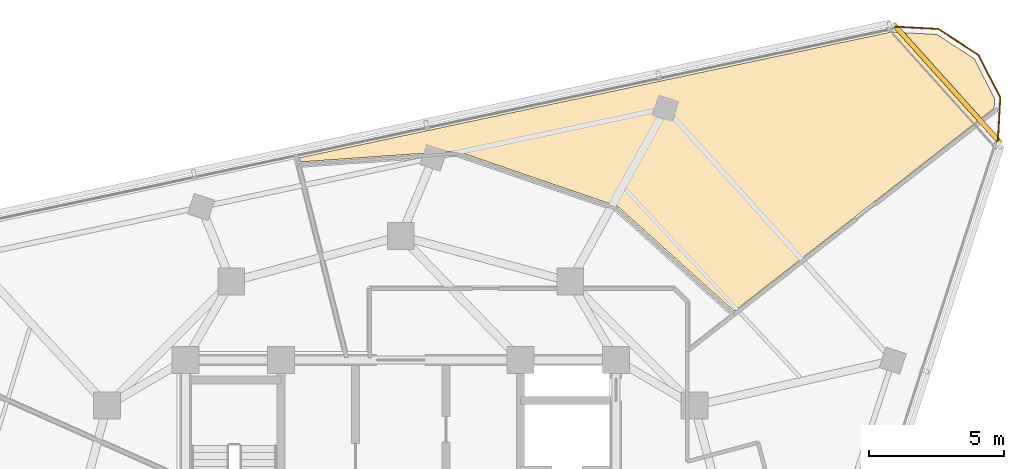
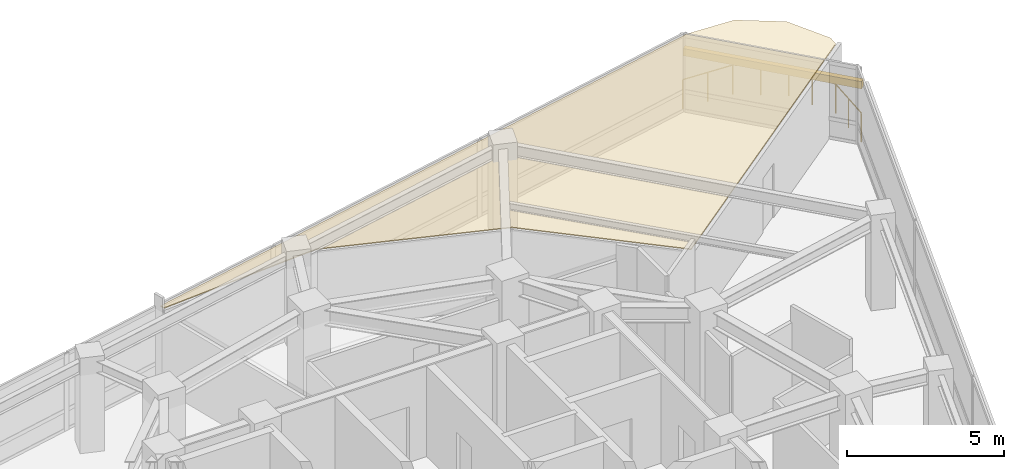
# One storey, part 15 of 15: 1 covering, 1 railing, 1 shading device.
"""IFC4 building model written with IfcOpenShell, lengths in metres."""

import ifcopenshell
import ifcopenshell.guid

model = None  # the IFC model being written
_history = None  # IfcOwnerHistory: only IFC2X3 demands one
_inside = {}  # id of a spatial element -> (the spatial element, [elements in it])
_under = {}  # id of a project, library or spatial element -> (it, [spatial elements below it])
_declared = {}  # id of a project -> (the project, [libraries it declares])
_typed = {}  # id of a type object -> (the type object, [elements of that type])
_made_of = {}  # id of a material, layer set ... -> (it, [elements and type objects made of it])


def new_model(schema):
    """Start an empty IFC model of exactly this schema.

    Asked for "IFC4X3", IfcOpenShell would pick the latest addendum, in which some entities
    have other attributes; the version numbers below select the first issue.
    IFC2X3 requires an IfcOwnerHistory on every rooted entity: one is made here for all.
    """
    global model, _history
    if schema == "IFC4X3":
        model = ifcopenshell.file(schema_version=(4, 3, 0, 0))
    else:
        model = ifcopenshell.file(schema=schema)
    _inside.clear()
    _under.clear()
    _declared.clear()
    _typed.clear()
    _made_of.clear()
    _history = None
    if model.schema == "IFC2X3":
        org = make("IfcOrganization", Name="unknown")
        user = make(
            "IfcPersonAndOrganization",
            ThePerson=make("IfcPerson", FamilyName="unknown"),
            TheOrganization=org,
        )
        app = make(
            "IfcApplication",
            ApplicationDeveloper=org,
            Version="unknown",
            ApplicationFullName="unknown",
            ApplicationIdentifier="unknown",
        )
        _history = make(
            "IfcOwnerHistory",
            OwningUser=user,
            OwningApplication=app,
            ChangeAction="ADDED",
            CreationDate=0,
        )
    return model


def make(cls, **values):
    """One entity of the class cls with the attributes given. An attribute that is None is left unset."""
    return model.create_entity(
        cls, **{name: value for name, value in values.items() if value is not None}
    )


def rooted(cls, **values):
    """An entity with a GlobalId (a new one), such as an element, a storey or a relation."""
    return make(cls, GlobalId=ifcopenshell.guid.new(), OwnerHistory=_history, **values)


def si_unit(unit_type, name, prefix=None):
    """IfcSIUnit, for example si_unit("LENGTHUNIT", "METRE", prefix="MILLI")."""
    return make("IfcSIUnit", UnitType=unit_type, Prefix=prefix, Name=name)


def assignment(units):
    """IfcUnitAssignment: the units of a project."""
    return None if units is None else make("IfcUnitAssignment", Units=units)


def point(xyz):
    """IfcCartesianPoint."""
    return None if xyz is None else make("IfcCartesianPoint", Coordinates=xyz)


def direction(xyz):
    """IfcDirection."""
    return None if xyz is None else make("IfcDirection", DirectionRatios=xyz)


def frame(location, z_axis=None, x_axis=None):
    """IfcAxis2Placement3D, a coordinate frame: its origin and axes. An axis left out is left unset."""
    return make(
        "IfcAxis2Placement3D",
        Location=point(location),
        Axis=direction(z_axis),
        RefDirection=direction(x_axis),
    )


def frame_2d(location, x_axis=None):
    """IfcAxis2Placement2D, a coordinate frame in the plane: its origin and x axis."""
    return make(
        "IfcAxis2Placement2D", Location=point(location), RefDirection=direction(x_axis)
    )


def origin():
    """The frame at (0, 0, 0) with its axes left unset."""
    return frame((0.0, 0.0, 0.0))


def origin_2d():
    """The frame at (0, 0) in the plane with its x axis left unset."""
    return frame_2d((0.0, 0.0))


def place(relative_to, where):
    """IfcLocalPlacement: puts the frame where relative to a parent placement (None: the world)."""
    return make(
        "IfcLocalPlacement", PlacementRelTo=relative_to, RelativePlacement=where
    )


def context(
    kind, dimensions, precision=None, world=None, true_north=None, identifier=None
):
    """IfcGeometricRepresentationContext, for example the 3D "Model" context."""
    return make(
        "IfcGeometricRepresentationContext",
        ContextIdentifier=identifier,
        ContextType=kind,
        CoordinateSpaceDimension=dimensions,
        Precision=precision,
        WorldCoordinateSystem=world,
        TrueNorth=true_north,
    )


def subcontext(parent, identifier, kind, view, scale=None):
    """IfcGeometricRepresentationSubContext, for example "Body" below "Model"."""
    return make(
        "IfcGeometricRepresentationSubContext",
        ContextIdentifier=identifier,
        ContextType=kind,
        ParentContext=parent,
        TargetScale=scale,
        TargetView=view,
    )


def project(units=None, contexts=None):
    """IfcProject with its units and contexts."""
    return rooted(
        "IfcProject",
        Name="project",
        RepresentationContexts=contexts,
        UnitsInContext=assignment(units),
    )


def spatial(cls, under=None, at=None, **own):
    """A site, building, storey or space (cls), placed at a placement, below another one or the project."""
    s = rooted(cls, ObjectPlacement=at, **own)
    if under is not None:
        _under.setdefault(under.id(), (under, []))[1].append(s)
    return s


def polyline(points):
    """IfcPolyline through the points."""
    return make("IfcPolyline", Points=[point(p) for p in points])


def profile(cls, at=None, kind="AREA", **sizes):
    """A parametric profile (cls). Its sizes go by their IFC names, for example OverallWidth=200.0."""
    return make(cls, ProfileType=kind, Position=at, **sizes)


def rectangle(**sizes):
    """IfcRectangleProfileDef."""
    return profile("IfcRectangleProfileDef", **sizes)


def circle(**sizes):
    """IfcCircleProfileDef."""
    return profile("IfcCircleProfileDef", **sizes)


def outline(outer, holes=None, kind="AREA"):
    """IfcArbitraryClosedProfileDef: a profile drawn as a closed curve; with holes, ...WithVoids."""
    if holes is None:
        return make("IfcArbitraryClosedProfileDef", ProfileType=kind, OuterCurve=outer)
    return make(
        "IfcArbitraryProfileDefWithVoids",
        ProfileType=kind,
        OuterCurve=outer,
        InnerCurves=holes,
    )


def extrude(swept, where, along, depth):
    """IfcExtrudedAreaSolid: the profile swept, set in the frame where, extruded along a direction by depth."""
    return make(
        "IfcExtrudedAreaSolid",
        SweptArea=swept,
        Position=where,
        ExtrudedDirection=direction(along),
        Depth=depth,
    )


def shape(context_of_items, identifier, shape_type, items):
    """IfcShapeRepresentation: the items that make up one representation, for example the "Body"."""
    return make(
        "IfcShapeRepresentation",
        ContextOfItems=context_of_items,
        RepresentationIdentifier=identifier,
        RepresentationType=shape_type,
        Items=items,
    )


def material(Name=None, Category=None):
    """IfcMaterial."""
    return make("IfcMaterial", Name=Name, Category=Category)


def layer(
    of_material, thickness, ventilated=None, Name=None, Category=None, Priority=None
):
    """IfcMaterialLayer: one layer of a wall or slab, of a material (None: an air gap)."""
    return make(
        "IfcMaterialLayer",
        Material=of_material,
        LayerThickness=thickness,
        IsVentilated=ventilated,
        Name=Name,
        Category=Category,
        Priority=Priority,
    )


def layer_set(layers, Name=None):
    """IfcMaterialLayerSet."""
    return make("IfcMaterialLayerSet", MaterialLayers=layers, LayerSetName=Name)


def made_of(thing, what):
    """Note that an element or type object is made of a material, layer set ...; save() writes the relation."""
    if what is not None:
        _made_of.setdefault(what.id(), (what, []))[1].append(thing)
    return thing


def type_object(cls, material=None, **own):
    """A type object (cls), such as IfcWallType, which elements share."""
    return made_of(rooted(cls, **own), material)


def element(
    cls,
    number,
    at=None,
    inside=None,
    cuts=None,
    type_object=None,
    material=None,
    context=None,
    identifier="Body",
    shape_type=None,
    held_by="IfcProductDefinitionShape",
    body=None,
    shapes=None,
    **own,
):
    """One element of the class cls, such as IfcWall. Its Tag is "e" and its number.

    at: its placement. inside: the storey or other place that contains it. cuts: it is an
    opening in that element (IfcRelVoidsElement). A single representation is given by context,
    identifier, shape_type and body (its items); several are given by shapes. held_by: the class
    of the entity that holds the representations. save() writes the other relations.
    """
    e = rooted(cls, Tag="e%d" % number, ObjectPlacement=at, **own)
    if body is not None:
        shapes = [shape(context, identifier, shape_type, body)]
    if shapes is not None:
        e.Representation = make(held_by, Representations=shapes)
    if inside is not None:
        _inside.setdefault(inside.id(), (inside, []))[1].append(e)
    if cuts is not None:
        rooted(
            "IfcRelVoidsElement", RelatingBuildingElement=cuts, RelatedOpeningElement=e
        )
    if type_object is not None:
        _typed.setdefault(type_object.id(), (type_object, []))[1].append(e)
    return made_of(e, material)


def aggregate(whole, parts):
    """IfcRelAggregates: a whole, such as a stair, and the parts it consists of."""
    return rooted("IfcRelAggregates", RelatingObject=whole, RelatedObjects=parts)


def save(model, path):
    """Write the relations noted so far, then the file.

    IfcRelAggregates (storeys below a building ...), IfcRelContainedInSpatialStructure (elements
    in a storey), IfcRelDefinesByType, IfcRelAssociatesMaterial and IfcRelDeclares: one each for
    every whole, place, type object, material and project.
    """
    for whole, parts in _under.values():
        aggregate(whole, parts)
    for where, things in _inside.values():
        rooted(
            "IfcRelContainedInSpatialStructure",
            RelatedElements=things,
            RelatingStructure=where,
        )
    for kind, things in _typed.values():
        rooted("IfcRelDefinesByType", RelatedObjects=things, RelatingType=kind)
    for what, things in _made_of.values():
        rooted("IfcRelAssociatesMaterial", RelatedObjects=things, RelatingMaterial=what)
    for by, libraries in _declared.values():
        rooted("IfcRelDeclares", RelatingContext=by, RelatedDefinitions=libraries)
    model.write(path)


model = new_model("IFC4")

# Units and contexts
model_context = context("Model", 3, precision=1e-05, world=origin(), true_north=direction((0.0, 1.0)))
body_context = subcontext(model_context, "Body", "Model", "MODEL_VIEW")
ifc_project = project(units=[si_unit("LENGTHUNIT", "METRE"), si_unit("AREAUNIT", "SQUARE_METRE"), si_unit("VOLUMEUNIT", "CUBIC_METRE"), si_unit("PLANEANGLEUNIT", "RADIAN"), si_unit("MASSUNIT", "GRAM", prefix="KILO")], contexts=[model_context])

# Site, building, storey
site_placement = place(None, origin())
site = spatial("IfcSite", under=ifc_project, at=site_placement, CompositionType="ELEMENT")
building_placement = place(site_placement, origin())
building = spatial("IfcBuilding", under=site, at=building_placement, Name="Terralouvre Media Tower", CompositionType="ELEMENT")
storey_placement = place(building_placement, frame((0.0, 0.0, 283.199951171875)))
storey = spatial("IfcBuildingStorey", under=building, at=storey_placement, Name="L73", CompositionType="ELEMENT", Elevation=283.199951171875)

# Covering
ifc_material_1 = material(Name="Perforated aluminium acoustic ceiling baffle", Category="aluminium")
ifc_layer_1 = layer(ifc_material_1, 0.0400390625, Name="Perforated Acoustic Metal Tile Ceiling CL-AC1")
ifc_layer_set_1 = layer_set([ifc_layer_1], Name="Perforated aluminium acoustic ceiling baffle")
covering_type = type_object("IfcCoveringType", Name="Perforated Acoustic Metal Tile Ceiling CL-AC1", PredefinedType="CEILING", material=ifc_layer_set_1)
covering_placement = place(storey_placement, frame((0.0, 0.0, 2.97998046875), z_axis=(0.0, 0.0, 1.0), x_axis=(0.309016994375, 0.951056516295, 0.0)))
element("IfcCovering", 1, at=covering_placement, inside=storey, type_object=covering_type, Name="L73 Digital Editing Lecture Room 6 Acoustic Ceiling", PredefinedType="CEILING", context=body_context, shape_type="SweptSolid", body=[
    extrude(outline(polyline([(15.628173828125, 2.917236328125), (15.631591796875, 2.90771484375), (15.6337890625, 2.89794921875), (15.635009765625, 2.887939453125), (15.635498046875, 2.8779296875), (15.525634765625, -3.42138671875), (15.52490234375, -3.431396484375), (15.5234375, -3.441162109375), (15.5205078125, -3.450927734375), (15.51708984375, -3.460205078125), (13.1591796875, -8.755615234375), (23.322021484375, -15.610595703125), (23.666015625, -15.51806640625), (24.841552734375, -14.342529296875), (25.272216796875, -12.73681640625), (24.834228515625, -11.10107421875), (13.590087890625, 8.374267578125), (13.457275390625, 8.290771484375), (15.628173828125, 2.917236328125)])), origin(), (0.0, 0.0, 1.0), 0.0400390625),
])

# Railing
ifc_material_2 = material(Name="Stainless steel 316 handrail and balustrade", Category="steel")
ifc_layer_2 = layer(ifc_material_2, 0.06005859375, Name="Roof Edge Safety Guardrail GR-ROOF1")
ifc_layer_set_2 = layer_set([ifc_layer_2], Name="Stainless steel 316 handrail and balustrade")
railing_type = type_object("IfcRailingType", Name="Roof Edge Safety Guardrail GR-ROOF1", PredefinedType="GUARDRAIL", material=ifc_layer_set_2)
railing_placement = place(storey_placement, frame((22.189453125, 15.972900390625, 0.0)))
element("IfcRailing", 2, at=railing_placement, inside=storey, type_object=railing_type, Name="L73 Wind-Corner Perimeter Safety Guardrail C1", PredefinedType="GUARDRAIL", context=body_context, shape_type="SweptSolid", body=[
    extrude(circle(Radius=0.02099609375, at=origin_2d()), frame((0.0, 0.0, 1.12890625), z_axis=(0.052530038308, 0.998619344433, 0.0), x_axis=(-0.998619344433, 0.052530038308, 0.0)), (0.0, 0.0, 1.0), 1.780029296875),
    extrude(circle(Radius=0.02099609375, at=origin_2d()), frame((0.093505859375, 1.777587890625, 1.12890625), z_axis=(-0.453894958645, 0.891055198356, 0.0), x_axis=(-0.891055198356, -0.453894958645, 0.0)), (0.0, 0.0, 1.0), 1.77978515625),
    extrude(circle(Radius=0.02099609375, at=origin_2d()), frame((-0.71435546875, 3.363525390625, 1.12890625), z_axis=(-0.838763173907, 0.544496407791, 0.0), x_axis=(-0.544496407791, -0.838763173907, 0.0)), (0.0, 0.0, 1.0), 1.779541015625),
    extrude(circle(Radius=0.02099609375, at=origin_2d()), frame((-2.20703125, 4.33251953125, 1.12890625), z_axis=(-0.998641217395, 0.052112560095, 0.0), x_axis=(-0.052112560095, -0.998641217395, 0.0)), (0.0, 0.0, 1.0), 1.7802734375),
    extrude(circle(Radius=0.01904296875, at=origin_2d()), origin(), (0.0, 0.0, 1.0), 1.10791015625),
    extrude(circle(Radius=0.01904296875, at=origin_2d()), frame((0.046875, 0.888671875, 0.0)), (0.0, 0.0, 1.0), 1.10791015625),
    extrude(circle(Radius=0.01904296875, at=origin_2d()), frame((0.093505859375, 1.777587890625, 0.0)), (0.0, 0.0, 1.0), 1.10791015625),
    extrude(circle(Radius=0.01904296875, at=origin_2d()), frame((-0.310546875, 2.570556640625, 0.0)), (0.0, 0.0, 1.0), 1.10791015625),
    extrude(circle(Radius=0.01904296875, at=origin_2d()), frame((-0.71435546875, 3.363525390625, 0.0)), (0.0, 0.0, 1.0), 1.10791015625),
    extrude(circle(Radius=0.01904296875, at=origin_2d()), frame((-1.460693359375, 3.84814453125, 0.0)), (0.0, 0.0, 1.0), 1.10791015625),
    extrude(circle(Radius=0.01904296875, at=origin_2d()), frame((-2.20703125, 4.33251953125, 0.0)), (0.0, 0.0, 1.0), 1.10791015625),
    extrude(circle(Radius=0.01904296875, at=origin_2d()), frame((-3.095947265625, 4.37890625, 0.0)), (0.0, 0.0, 1.0), 1.10791015625),
    extrude(circle(Radius=0.01904296875, at=origin_2d()), frame((-3.98486328125, 4.42529296875, 0.0)), (0.0, 0.0, 1.0), 1.10791015625),
])

# Shading device
ifc_material_3 = material(Name="Extruded terracotta baguette sunshade louvres", Category="masonry")
shading_device_type = type_object("IfcShadingDeviceType", Name="Terracotta Baguette Sunshade Louvre Screen TB-LV1", PredefinedType="USERDEFINED", material=ifc_material_3)
shading_device_placement = place(storey_placement, frame((20.29736328125, 18.27587890625, 2.02392578125), z_axis=(0.0, 0.0, 1.0), x_axis=(-0.669130231192, 0.743145163279, 0.0)))
element("IfcShadingDevice", 3, at=shading_device_placement, inside=storey, type_object=shading_device_type, Name="CW-L73-C1 Terracotta Baguette Sunshade Louvre", ObjectType="BAGUETTE", PredefinedType="USERDEFINED", context=body_context, shape_type="SweptSolid", body=[
    extrude(rectangle(XDim=5.958251953125, YDim=0.179931640625, at=origin_2d()), origin(), (0.0, 0.0, 1.0), 0.280029296875),
])

save(model, "model.ifc")
